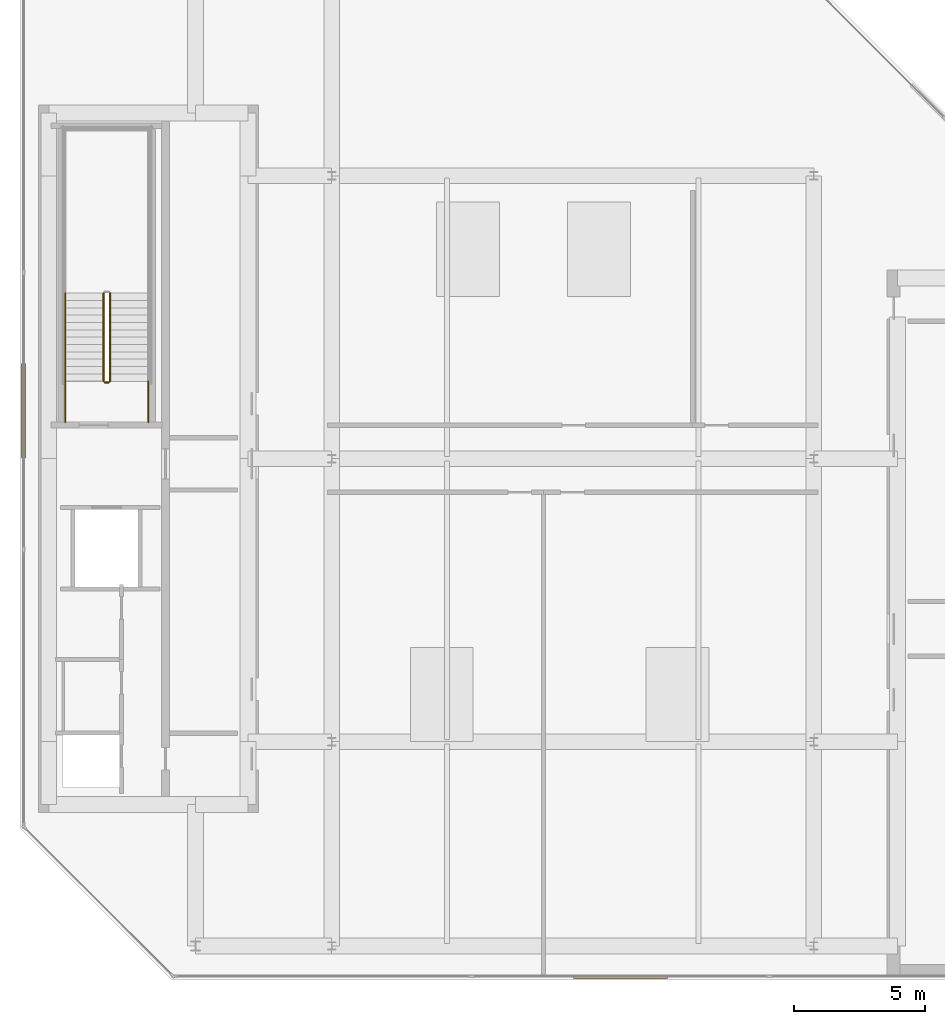
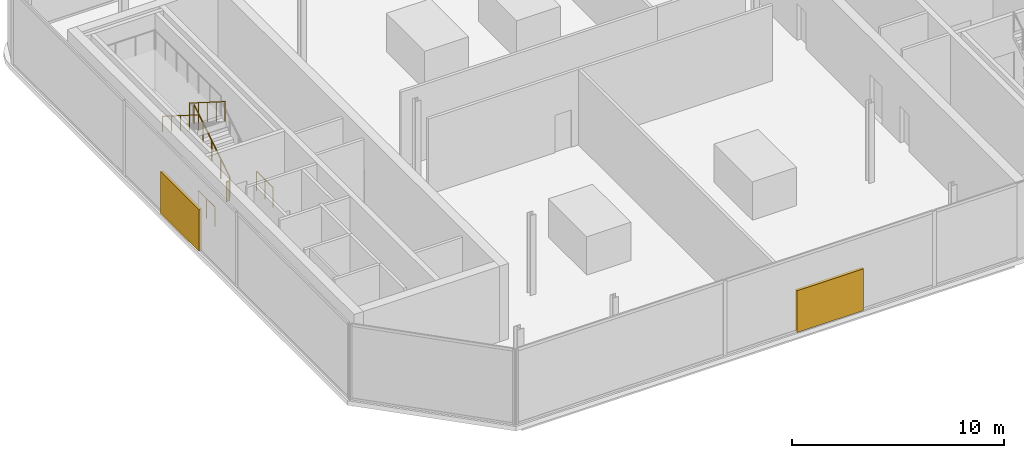
# One storey, part 12 of 15: 6 railings, 2 shading devices.
"""IFC4 building model written with IfcOpenShell, lengths in metres."""

from ifc_helpers import new_model, si_unit, direction, frame, origin, origin_2d, place, context, subcontext, project, spatial, rectangle, circle, extrude, material, layer, layer_set, type_object, element, save


model = new_model("IFC4")

# Units and contexts
model_context = context("Model", 3, precision=1e-05, world=origin(), true_north=direction((0.0, 1.0)))
body_context = subcontext(model_context, "Body", "Model", "MODEL_VIEW")
ifc_project = project(units=[si_unit("LENGTHUNIT", "METRE"), si_unit("AREAUNIT", "SQUARE_METRE"), si_unit("VOLUMEUNIT", "CUBIC_METRE"), si_unit("PLANEANGLEUNIT", "RADIAN"), si_unit("MASSUNIT", "GRAM", prefix="KILO")], contexts=[model_context])

# Site, building, storey
site_placement = place(None, origin())
site = spatial("IfcSite", under=ifc_project, at=site_placement, CompositionType="ELEMENT")
building_placement = place(site_placement, origin())
building = spatial("IfcBuilding", under=site, at=building_placement, Name="Khairoan Windgate Tower", CompositionType="ELEMENT")
storey_placement = place(building_placement, frame((0.0, 0.0, 330.39990234375)))
storey = spatial("IfcBuildingStorey", under=building, at=storey_placement, Name="L79", CompositionType="ELEMENT", Elevation=330.39990234375)

# Shading devices
ifc_material_1 = material(Name="Anodised Bronze Aluminium 6063-T6", Category="aluminium")
ifc_layer = layer(ifc_material_1, 0.14990234375, Name="Anodised Bronze Aluminium 6063-T6")
ifc_layer_set = layer_set([ifc_layer], Name="Anodised Bronze Aluminium 6063-T6")
shading_device_type = type_object("IfcShadingDeviceType", Name="Acoustic Bronze Plant Weather Louvre BWL-1", PredefinedType="JALOUSIE", material=ifc_layer_set)
for number, where, z_axis, x_axis, name in (
    (1, (1.824462890625, -19.760009765625, 0.000244140625), (0.0, 0.0, 1.0), (-1.0, 0.0, 0.0), "L79 Acoustic Bronze Plant Louvre 0"),
    (2, (-20.9599609375, 1.824462890625, 0.000244140625), (0.0, 0.0, 1.0), (0.0, 1.0, 0.0), "L79 Acoustic Bronze Plant Louvre 2"),
):
    element("IfcShadingDevice", number, at=place(storey_placement, frame(where, z_axis=z_axis, x_axis=x_axis)), inside=storey, type_object=shading_device_type, Name=name, PredefinedType="JALOUSIE", context=body_context, shape_type="SweptSolid", body=[
        extrude(rectangle(XDim=3.60009765625, YDim=0.14990234375, at=origin_2d()), origin(), (0.0, 0.0, 1.0), 2.39990234375),
    ])

# Railings
ifc_material_2 = material(Name="Anodised Bronze Aluminium 6063-T6", Category="aluminium")
railing_type_1 = type_object("IfcRailingType", Name="Stair Wall Handrail SHR-900", PredefinedType="HANDRAIL", material=ifc_material_2)
railing_1_placement = place(storey_placement, frame((-19.3701171875, 6.320068359375, 2.47705078125)))
element("IfcRailing", 3, at=railing_1_placement, inside=storey, type_object=railing_type_1, Name="L79 ST2 stair handrail 2", PredefinedType="HANDRAIL", context=body_context, shape_type="SweptSolid", body=[
    extrude(circle(Radius=0.02392578125, at=origin_2d()), frame((0.0, 0.0, 0.8759765625), z_axis=(0.0, -0.845389635667, 0.534150132366), x_axis=(1.0, 0.0, 0.0)), (0.0, 0.0, 1.0), 3.974609375),
    extrude(circle(Radius=0.02099609375, at=origin_2d()), origin(), (0.0, 0.0, 1.0), 0.851806640625),
    extrude(circle(Radius=0.02099609375, at=origin_2d()), frame((0.0, -0.840087890625, 0.53076171875)), (0.0, 0.0, 1.0), 0.851806640625),
    extrude(circle(Radius=0.02099609375, at=origin_2d()), frame((0.0, -1.68017578125, 1.0615234375)), (0.0, 0.0, 1.0), 0.851806640625),
    extrude(circle(Radius=0.02099609375, at=origin_2d()), frame((0.0, -2.52001953125, 1.59228515625)), (0.0, 0.0, 1.0), 0.851806640625),
    extrude(circle(Radius=0.02099609375, at=origin_2d()), frame((0.0, -3.360107421875, 2.123046875)), (0.0, 0.0, 1.0), 0.851806640625),
])
ifc_material_3 = material(Name="Steel S355", Category="steel")
railing_type_2 = type_object("IfcRailingType", Name="Stairwell Safety Guardrail SGR-1150", PredefinedType="GUARDRAIL", material=ifc_material_3)
railing_2_placement = place(storey_placement, frame((-17.659912109375, 2.9599609375, 0.177001953125)))
element("IfcRailing", 4, at=railing_2_placement, inside=storey, type_object=railing_type_2, Name="L79 ST2 stair guard 1", PredefinedType="GUARDRAIL", context=body_context, shape_type="SweptSolid", body=[
    extrude(circle(Radius=0.02392578125, at=origin_2d()), frame((0.0, 0.0, 1.1259765625), z_axis=(0.0, 0.845389635667, 0.534150132366), x_axis=(-1.0, 0.0, 0.0)), (0.0, 0.0, 1.0), 3.974609375),
    extrude(circle(Radius=0.02099609375, at=origin_2d()), origin(), (0.0, 0.0, 1.0), 1.101806640625),
    extrude(circle(Radius=0.02099609375, at=origin_2d()), frame((0.0, 0.840087890625, 0.53076171875)), (0.0, 0.0, 1.0), 1.101806640625),
    extrude(circle(Radius=0.02099609375, at=origin_2d()), frame((0.0, 1.68017578125, 1.0615234375)), (0.0, 0.0, 1.0), 1.101806640625),
    extrude(circle(Radius=0.02099609375, at=origin_2d()), frame((0.0, 2.52001953125, 1.59228515625)), (0.0, 0.0, 1.0), 1.101806640625),
    extrude(circle(Radius=0.02099609375, at=origin_2d()), frame((0.0, 3.360107421875, 2.123046875)), (0.0, 0.0, 1.0), 1.101806640625),
])
railing_3_placement = place(storey_placement, frame((-17.909912109375, 6.320068359375, 2.47705078125)))
element("IfcRailing", 5, at=railing_3_placement, inside=storey, type_object=railing_type_2, Name="L79 ST2 stair guard 6", PredefinedType="GUARDRAIL", context=body_context, shape_type="SweptSolid", body=[
    extrude(circle(Radius=0.02392578125, at=origin_2d()), frame((0.0, 0.0, 1.1259765625), z_axis=(0.0, -0.845389635667, 0.534150132366), x_axis=(1.0, 0.0, 0.0)), (0.0, 0.0, 1.0), 3.974609375),
    extrude(circle(Radius=0.02099609375, at=origin_2d()), origin(), (0.0, 0.0, 1.0), 1.101806640625),
    extrude(circle(Radius=0.02099609375, at=origin_2d()), frame((0.0, -0.840087890625, 0.53076171875)), (0.0, 0.0, 1.0), 1.101806640625),
    extrude(circle(Radius=0.02099609375, at=origin_2d()), frame((0.0, -1.68017578125, 1.0615234375)), (0.0, 0.0, 1.0), 1.101806640625),
    extrude(circle(Radius=0.02099609375, at=origin_2d()), frame((0.0, -2.52001953125, 1.59228515625)), (0.0, 0.0, 1.0), 1.101806640625),
    extrude(circle(Radius=0.02099609375, at=origin_2d()), frame((0.0, -3.360107421875, 2.123046875)), (0.0, 0.0, 1.0), 1.101806640625),
])
railing_4_placement = place(storey_placement, frame((-17.7099609375, 2.909912109375, 0.0)))
element("IfcRailing", 6, at=railing_4_placement, inside=storey, type_object=railing_type_2, Name="L79 ST2 stair guard 7", PredefinedType="GUARDRAIL", context=body_context, shape_type="SweptSolid", body=[
    extrude(circle(Radius=0.02392578125, at=origin_2d()), frame((0.0, 0.0, 1.1259765625), z_axis=(-1.0, 0.0, 0.0), x_axis=(0.0, -1.0, 0.0)), (0.0, 0.0, 1.0), 0.150146484375),
    extrude(circle(Radius=0.02099609375, at=origin_2d()), origin(), (0.0, 0.0, 1.0), 1.101806640625),
    extrude(circle(Radius=0.02099609375, at=origin_2d()), frame((-0.150146484375, 0.0, 0.0)), (0.0, 0.0, 1.0), 1.101806640625),
])
for number, where, name in (
    (7, (-16.199951171875, 1.39990234375, 0.0), "L79 ST2 stair guard 8"),
    (8, (-19.3701171875, 1.39990234375, 0.0), "L79 ST2 stair guard 9"),
):
    element("IfcRailing", number, at=place(storey_placement, frame(where)), inside=storey, type_object=railing_type_2, Name=name, PredefinedType="GUARDRAIL", context=body_context, shape_type="SweptSolid", body=[
        extrude(circle(Radius=0.02392578125, at=origin_2d()), frame((0.0, 0.0, 1.1259765625), z_axis=(0.0, 1.0, 0.0), x_axis=(-1.0, 0.0, 0.0)), (0.0, 0.0, 1.0), 1.56005859375),
        extrude(circle(Radius=0.02099609375, at=origin_2d()), origin(), (0.0, 0.0, 1.0), 1.101806640625),
        extrude(circle(Radius=0.02099609375, at=origin_2d()), frame((0.0, 0.780029296875, 0.0)), (0.0, 0.0, 1.0), 1.101806640625),
        extrude(circle(Radius=0.02099609375, at=origin_2d()), frame((0.0, 1.56005859375, 0.0)), (0.0, 0.0, 1.0), 1.101806640625),
    ])

save(model, "model.ifc")
